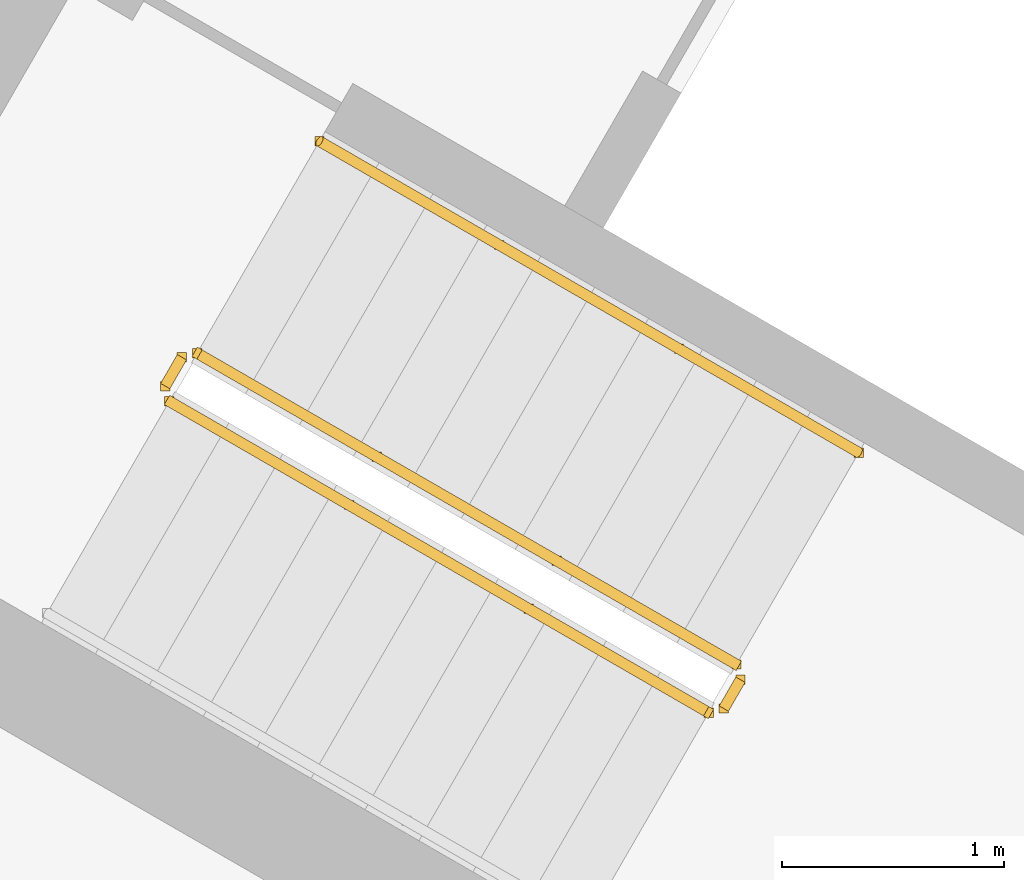
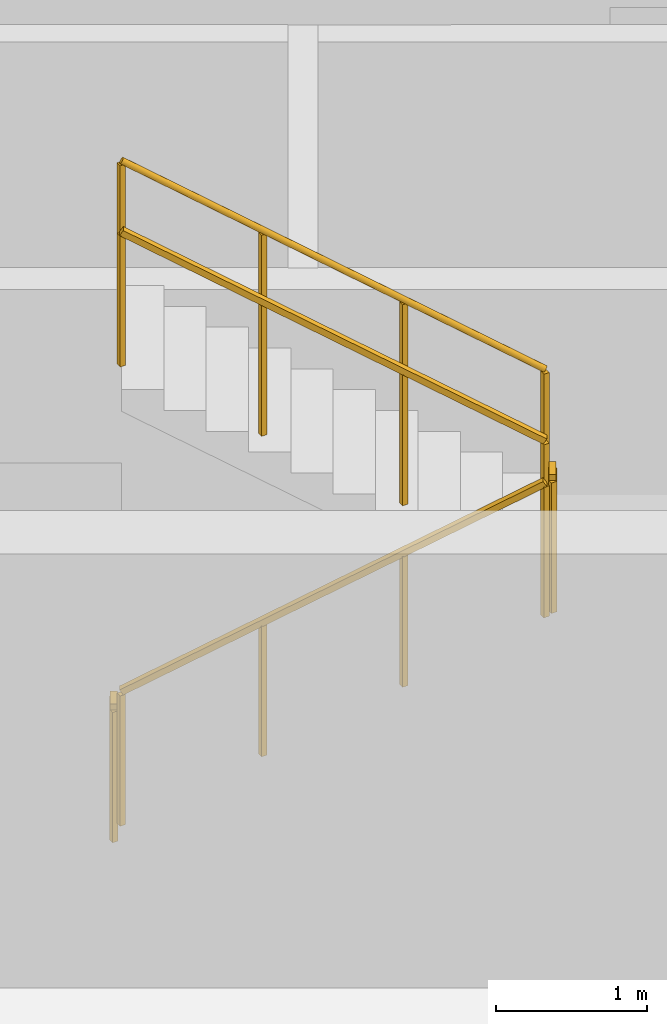
# One storey, part 12 of 14: 5 railings.
"""IFC4 building model written with IfcOpenShell, lengths in metres."""

from ifc_helpers import new_model, si_unit, direction, frame, origin, origin_2d, place, context, subcontext, project, spatial, rectangle, circle, extrude, material, type_object, element, save


model = new_model("IFC4")

# Units and contexts
model_context = context("Model", 3, precision=1e-05, world=origin(), true_north=direction((0.0, 1.0)))
body_context = subcontext(model_context, "Body", "Model", "MODEL_VIEW")
ifc_project = project(units=[si_unit("LENGTHUNIT", "METRE"), si_unit("AREAUNIT", "SQUARE_METRE"), si_unit("VOLUMEUNIT", "CUBIC_METRE"), si_unit("PLANEANGLEUNIT", "RADIAN"), si_unit("MASSUNIT", "GRAM", prefix="KILO")], contexts=[model_context])

# Site, building, storey
site_placement = place(None, origin())
site = spatial("IfcSite", under=ifc_project, at=site_placement, CompositionType="ELEMENT")
building_placement = place(site_placement, origin())
building = spatial("IfcBuilding", under=site, at=building_placement, Name="Apuvela Tower Hotel", CompositionType="ELEMENT")
storey_placement = place(building_placement, frame((0.0, 0.0, 213.199951171875)))
storey = spatial("IfcBuildingStorey", under=building, at=storey_placement, Name="L52", CompositionType="ELEMENT", Elevation=213.199951171875)

# Railings
ifc_material_1 = material(Name="Steel S275 balustrade", Category="steel")
railing_type_1 = type_object("IfcRailingType", Name="COR-GUARD-1100", PredefinedType="GUARDRAIL", material=ifc_material_1)
railing_1_placement = place(storey_placement, frame((10.718994140625, -10.63427734375, 0.168212890625)))
element("IfcRailing", 1, at=railing_1_placement, inside=storey, type_object=railing_type_1, Name="L52 ST3 stair guard 1", PredefinedType="GUARDRAIL", context=body_context, shape_type="SweptSolid", body=[
    extrude(rectangle(XDim=0.048095703125, YDim=0.048095703125, at=origin_2d()), frame((0.0, 0.0, 1.076171875), z_axis=(0.742390482028, -0.42860119049, 0.514934356695), x_axis=(0.49998411664, 0.866034573852, 0.0)), (0.0, 0.0, 1.0), 3.26611328125),
    extrude(rectangle(XDim=0.0419921875, YDim=0.0419921875, at=origin_2d()), origin(), (0.0, 0.0, 1.0), 1.052001953125),
    extrude(rectangle(XDim=0.0419921875, YDim=0.0419921875, at=origin_2d()), frame((0.808349609375, -0.466552734375, 0.560546875)), (0.0, 0.0, 1.0), 1.052001953125),
    extrude(rectangle(XDim=0.0419921875, YDim=0.0419921875, at=origin_2d()), frame((1.616455078125, -0.933349609375, 1.121337890625)), (0.0, 0.0, 1.0), 1.052001953125),
    extrude(rectangle(XDim=0.0419921875, YDim=0.0419921875, at=origin_2d()), frame((2.4248046875, -1.39990234375, 1.681884765625)), (0.0, 0.0, 1.0), 1.052001953125),
])
railing_2_placement = place(storey_placement, frame((13.212158203125, -12.015869140625, 1.85009765625)))
element("IfcRailing", 2, at=railing_2_placement, inside=storey, type_object=railing_type_1, Name="L52 ST3 stair guard 2", PredefinedType="GUARDRAIL", context=body_context, shape_type="SweptSolid", body=[
    extrude(rectangle(XDim=0.048095703125, YDim=0.048095703125, at=origin_2d()), frame((0.0, 0.0, 1.076171875), z_axis=(0.499816412211, 0.866131372301, 0.0), x_axis=(-0.866131372301, 0.499816412211, 0.0)), (0.0, 0.0, 1.0), 0.14990234375),
    extrude(rectangle(XDim=0.0419921875, YDim=0.0419921875, at=origin_2d()), origin(), (0.0, 0.0, 1.0), 1.052001953125),
    extrude(rectangle(XDim=0.0419921875, YDim=0.0419921875, at=origin_2d()), frame((0.074951171875, 0.1298828125, 0.0)), (0.0, 0.0, 1.0), 1.052001953125),
])
railing_3_placement = place(storey_placement, frame((13.268798828125, -11.817626953125, 2.018310546875)))
element("IfcRailing", 3, at=railing_3_placement, inside=storey, type_object=railing_type_1, Name="L52 ST3 stair guard 3", PredefinedType="GUARDRAIL", context=body_context, shape_type="SweptSolid", body=[
    extrude(rectangle(XDim=0.048095703125, YDim=0.048095703125, at=origin_2d()), frame((0.0, 0.0, 1.076171875), z_axis=(-0.74241905619, 0.428617687091, 0.514879426), x_axis=(-0.49998411664, -0.866034573852, 0.0)), (0.0, 0.0, 1.0), 3.26611328125),
    extrude(rectangle(XDim=0.0419921875, YDim=0.0419921875, at=origin_2d()), origin(), (0.0, 0.0, 1.0), 1.052001953125),
    extrude(rectangle(XDim=0.0419921875, YDim=0.0419921875, at=origin_2d()), frame((-0.808349609375, 0.466552734375, 0.560546875)), (0.0, 0.0, 1.0), 1.052001953125),
    extrude(rectangle(XDim=0.0419921875, YDim=0.0419921875, at=origin_2d()), frame((-1.616455078125, 0.933349609375, 1.12109375)), (0.0, 0.0, 1.0), 1.052001953125),
    extrude(rectangle(XDim=0.0419921875, YDim=0.0419921875, at=origin_2d()), frame((-2.4248046875, 1.39990234375, 1.681640625)), (0.0, 0.0, 1.0), 1.052001953125),
])
railing_4_placement = place(storey_placement, frame((10.70068359375, -10.56591796875, 0.0)))
element("IfcRailing", 4, at=railing_4_placement, inside=storey, type_object=railing_type_1, Name="L52 ST3 stair guard 4", PredefinedType="GUARDRAIL", context=body_context, shape_type="SweptSolid", body=[
    extrude(rectangle(XDim=0.048095703125, YDim=0.048095703125, at=origin_2d()), frame((0.0, 0.0, 1.076171875), z_axis=(0.499816412211, 0.866131372301, 0.0), x_axis=(-0.866131372301, 0.499816412211, 0.0)), (0.0, 0.0, 1.0), 0.14990234375),
    extrude(rectangle(XDim=0.0419921875, YDim=0.0419921875, at=origin_2d()), origin(), (0.0, 0.0, 1.0), 1.052001953125),
    extrude(rectangle(XDim=0.0419921875, YDim=0.0419921875, at=origin_2d()), frame((0.074951171875, 0.1298828125, 0.0)), (0.0, 0.0, 1.0), 1.052001953125),
])
ifc_material_2 = material(Name="Stainless steel 316 handrail", Category="steel")
railing_type_2 = type_object("IfcRailingType", Name="COR-HANDRAIL-900", PredefinedType="HANDRAIL", material=ifc_material_2)
railing_5_placement = place(storey_placement, frame((13.81884765625, -10.864990234375, 2.018310546875)))
element("IfcRailing", 5, at=railing_5_placement, inside=storey, type_object=railing_type_2, Name="L52 ST3 stair handrail 2", PredefinedType="HANDRAIL", context=body_context, shape_type="SweptSolid", body=[
    extrude(circle(Radius=0.02392578125, at=origin_2d()), frame((0.0, 0.0, 0.8759765625), z_axis=(-0.74241905619, 0.428617687091, 0.514879426), x_axis=(-0.49998411664, -0.866034573852, 0.0)), (0.0, 0.0, 1.0), 3.26611328125),
    extrude(rectangle(XDim=0.0419921875, YDim=0.0419921875, at=origin_2d()), origin(), (0.0, 0.0, 1.0), 0.851806640625),
    extrude(rectangle(XDim=0.0419921875, YDim=0.0419921875, at=origin_2d()), frame((-0.808349609375, 0.466552734375, 0.560546875)), (0.0, 0.0, 1.0), 0.851806640625),
    extrude(rectangle(XDim=0.0419921875, YDim=0.0419921875, at=origin_2d()), frame((-1.616455078125, 0.933349609375, 1.12109375)), (0.0, 0.0, 1.0), 0.851806640625),
    extrude(rectangle(XDim=0.0419921875, YDim=0.0419921875, at=origin_2d()), frame((-2.4248046875, 1.39990234375, 1.681640625)), (0.0, 0.0, 1.0), 0.851806640625),
])

save(model, "model.ifc")
